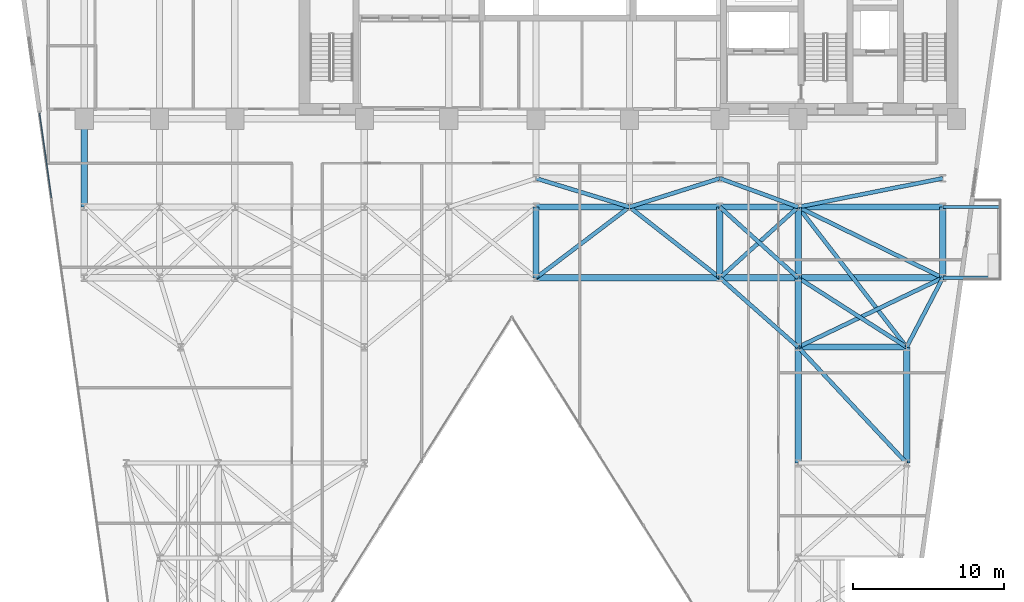
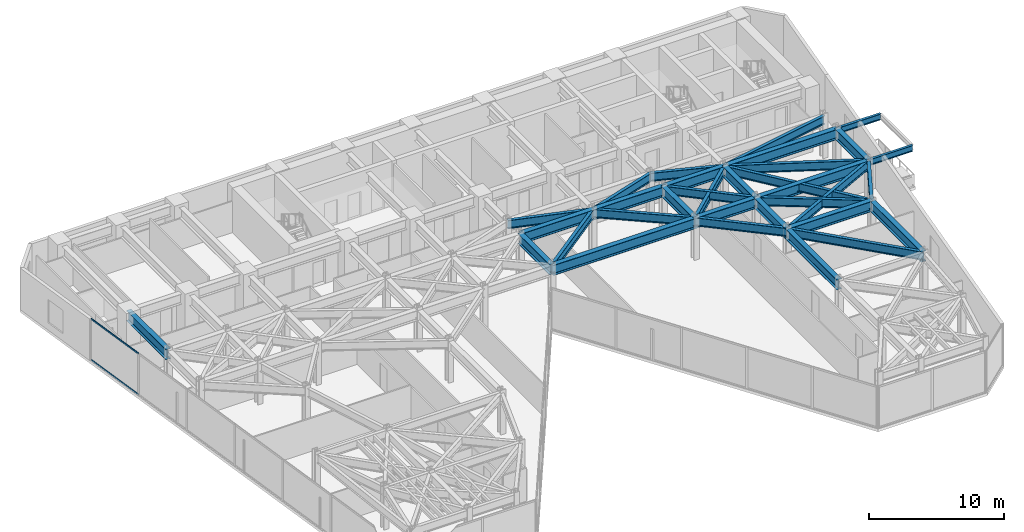
# One storey, part 16 of 24: 33 beams, 2 members, 1 element without a shape of its own.
"""IFC4 building model written with IfcOpenShell, lengths in metres."""

import ifcopenshell
import ifcopenshell.guid

model = None  # the IFC model being written
_history = None  # IfcOwnerHistory: only IFC2X3 demands one
_inside = {}  # id of a spatial element -> (the spatial element, [elements in it])
_under = {}  # id of a project, library or spatial element -> (it, [spatial elements below it])
_declared = {}  # id of a project -> (the project, [libraries it declares])
_typed = {}  # id of a type object -> (the type object, [elements of that type])
_made_of = {}  # id of a material, layer set ... -> (it, [elements and type objects made of it])


def new_model(schema):
    """Start an empty IFC model of exactly this schema.

    Asked for "IFC4X3", IfcOpenShell would pick the latest addendum, in which some entities
    have other attributes; the version numbers below select the first issue.
    IFC2X3 requires an IfcOwnerHistory on every rooted entity: one is made here for all.
    """
    global model, _history
    if schema == "IFC4X3":
        model = ifcopenshell.file(schema_version=(4, 3, 0, 0))
    else:
        model = ifcopenshell.file(schema=schema)
    _inside.clear()
    _under.clear()
    _declared.clear()
    _typed.clear()
    _made_of.clear()
    _history = None
    if model.schema == "IFC2X3":
        org = make("IfcOrganization", Name="unknown")
        user = make(
            "IfcPersonAndOrganization",
            ThePerson=make("IfcPerson", FamilyName="unknown"),
            TheOrganization=org,
        )
        app = make(
            "IfcApplication",
            ApplicationDeveloper=org,
            Version="unknown",
            ApplicationFullName="unknown",
            ApplicationIdentifier="unknown",
        )
        _history = make(
            "IfcOwnerHistory",
            OwningUser=user,
            OwningApplication=app,
            ChangeAction="ADDED",
            CreationDate=0,
        )
    return model


def make(cls, **values):
    """One entity of the class cls with the attributes given. An attribute that is None is left unset."""
    return model.create_entity(
        cls, **{name: value for name, value in values.items() if value is not None}
    )


def rooted(cls, **values):
    """An entity with a GlobalId (a new one), such as an element, a storey or a relation."""
    return make(cls, GlobalId=ifcopenshell.guid.new(), OwnerHistory=_history, **values)


def si_unit(unit_type, name, prefix=None):
    """IfcSIUnit, for example si_unit("LENGTHUNIT", "METRE", prefix="MILLI")."""
    return make("IfcSIUnit", UnitType=unit_type, Prefix=prefix, Name=name)


def assignment(units):
    """IfcUnitAssignment: the units of a project."""
    return None if units is None else make("IfcUnitAssignment", Units=units)


def point(xyz):
    """IfcCartesianPoint."""
    return None if xyz is None else make("IfcCartesianPoint", Coordinates=xyz)


def direction(xyz):
    """IfcDirection."""
    return None if xyz is None else make("IfcDirection", DirectionRatios=xyz)


def frame(location, z_axis=None, x_axis=None):
    """IfcAxis2Placement3D, a coordinate frame: its origin and axes. An axis left out is left unset."""
    return make(
        "IfcAxis2Placement3D",
        Location=point(location),
        Axis=direction(z_axis),
        RefDirection=direction(x_axis),
    )


def frame_2d(location, x_axis=None):
    """IfcAxis2Placement2D, a coordinate frame in the plane: its origin and x axis."""
    return make(
        "IfcAxis2Placement2D", Location=point(location), RefDirection=direction(x_axis)
    )


def origin():
    """The frame at (0, 0, 0) with its axes left unset."""
    return frame((0.0, 0.0, 0.0))


def origin_2d():
    """The frame at (0, 0) in the plane with its x axis left unset."""
    return frame_2d((0.0, 0.0))


def place(relative_to, where):
    """IfcLocalPlacement: puts the frame where relative to a parent placement (None: the world)."""
    return make(
        "IfcLocalPlacement", PlacementRelTo=relative_to, RelativePlacement=where
    )


def context(
    kind, dimensions, precision=None, world=None, true_north=None, identifier=None
):
    """IfcGeometricRepresentationContext, for example the 3D "Model" context."""
    return make(
        "IfcGeometricRepresentationContext",
        ContextIdentifier=identifier,
        ContextType=kind,
        CoordinateSpaceDimension=dimensions,
        Precision=precision,
        WorldCoordinateSystem=world,
        TrueNorth=true_north,
    )


def subcontext(parent, identifier, kind, view, scale=None):
    """IfcGeometricRepresentationSubContext, for example "Body" below "Model"."""
    return make(
        "IfcGeometricRepresentationSubContext",
        ContextIdentifier=identifier,
        ContextType=kind,
        ParentContext=parent,
        TargetScale=scale,
        TargetView=view,
    )


def project(units=None, contexts=None):
    """IfcProject with its units and contexts."""
    return rooted(
        "IfcProject",
        Name="project",
        RepresentationContexts=contexts,
        UnitsInContext=assignment(units),
    )


def spatial(cls, under=None, at=None, **own):
    """A site, building, storey or space (cls), placed at a placement, below another one or the project."""
    s = rooted(cls, ObjectPlacement=at, **own)
    if under is not None:
        _under.setdefault(under.id(), (under, []))[1].append(s)
    return s


def profile(cls, at=None, kind="AREA", **sizes):
    """A parametric profile (cls). Its sizes go by their IFC names, for example OverallWidth=200.0."""
    return make(cls, ProfileType=kind, Position=at, **sizes)


def hollow_rectangle(**sizes):
    """IfcRectangleHollowProfileDef."""
    return profile("IfcRectangleHollowProfileDef", **sizes)


def i_section(**sizes):
    """IfcIShapeProfileDef."""
    return profile("IfcIShapeProfileDef", **sizes)


def extrude(swept, where, along, depth):
    """IfcExtrudedAreaSolid: the profile swept, set in the frame where, extruded along a direction by depth."""
    return make(
        "IfcExtrudedAreaSolid",
        SweptArea=swept,
        Position=where,
        ExtrudedDirection=direction(along),
        Depth=depth,
    )


def shape(context_of_items, identifier, shape_type, items):
    """IfcShapeRepresentation: the items that make up one representation, for example the "Body"."""
    return make(
        "IfcShapeRepresentation",
        ContextOfItems=context_of_items,
        RepresentationIdentifier=identifier,
        RepresentationType=shape_type,
        Items=items,
    )


def material(Name=None, Category=None):
    """IfcMaterial."""
    return make("IfcMaterial", Name=Name, Category=Category)


def layer(
    of_material, thickness, ventilated=None, Name=None, Category=None, Priority=None
):
    """IfcMaterialLayer: one layer of a wall or slab, of a material (None: an air gap)."""
    return make(
        "IfcMaterialLayer",
        Material=of_material,
        LayerThickness=thickness,
        IsVentilated=ventilated,
        Name=Name,
        Category=Category,
        Priority=Priority,
    )


def layer_set(layers, Name=None):
    """IfcMaterialLayerSet."""
    return make("IfcMaterialLayerSet", MaterialLayers=layers, LayerSetName=Name)


def material_profile(
    of_material, cross_section, Name=None, Category=None, Priority=None
):
    """IfcMaterialProfile: a cross section and its material."""
    return make(
        "IfcMaterialProfile",
        Name=Name,
        Material=of_material,
        Profile=cross_section,
        Priority=Priority,
        Category=Category,
    )


def profile_set(profiles, Name=None, composite=None):
    """IfcMaterialProfileSet."""
    return make(
        "IfcMaterialProfileSet",
        Name=Name,
        MaterialProfiles=profiles,
        CompositeProfile=composite,
    )


def made_of(thing, what):
    """Note that an element or type object is made of a material, layer set ...; save() writes the relation."""
    if what is not None:
        _made_of.setdefault(what.id(), (what, []))[1].append(thing)
    return thing


def type_object(cls, material=None, **own):
    """A type object (cls), such as IfcWallType, which elements share."""
    return made_of(rooted(cls, **own), material)


def element(
    cls,
    number,
    at=None,
    inside=None,
    cuts=None,
    type_object=None,
    material=None,
    context=None,
    identifier="Body",
    shape_type=None,
    held_by="IfcProductDefinitionShape",
    body=None,
    shapes=None,
    **own,
):
    """One element of the class cls, such as IfcWall. Its Tag is "e" and its number.

    at: its placement. inside: the storey or other place that contains it. cuts: it is an
    opening in that element (IfcRelVoidsElement). A single representation is given by context,
    identifier, shape_type and body (its items); several are given by shapes. held_by: the class
    of the entity that holds the representations. save() writes the other relations.
    """
    e = rooted(cls, Tag="e%d" % number, ObjectPlacement=at, **own)
    if body is not None:
        shapes = [shape(context, identifier, shape_type, body)]
    if shapes is not None:
        e.Representation = make(held_by, Representations=shapes)
    if inside is not None:
        _inside.setdefault(inside.id(), (inside, []))[1].append(e)
    if cuts is not None:
        rooted(
            "IfcRelVoidsElement", RelatingBuildingElement=cuts, RelatedOpeningElement=e
        )
    if type_object is not None:
        _typed.setdefault(type_object.id(), (type_object, []))[1].append(e)
    return made_of(e, material)


def aggregate(whole, parts):
    """IfcRelAggregates: a whole, such as a stair, and the parts it consists of."""
    return rooted("IfcRelAggregates", RelatingObject=whole, RelatedObjects=parts)


def save(model, path):
    """Write the relations noted so far, then the file.

    IfcRelAggregates (storeys below a building ...), IfcRelContainedInSpatialStructure (elements
    in a storey), IfcRelDefinesByType, IfcRelAssociatesMaterial and IfcRelDeclares: one each for
    every whole, place, type object, material and project.
    """
    for whole, parts in _under.values():
        aggregate(whole, parts)
    for where, things in _inside.values():
        rooted(
            "IfcRelContainedInSpatialStructure",
            RelatedElements=things,
            RelatingStructure=where,
        )
    for kind, things in _typed.values():
        rooted("IfcRelDefinesByType", RelatedObjects=things, RelatingType=kind)
    for what, things in _made_of.values():
        rooted("IfcRelAssociatesMaterial", RelatedObjects=things, RelatingMaterial=what)
    for by, libraries in _declared.values():
        rooted("IfcRelDeclares", RelatingContext=by, RelatedDefinitions=libraries)
    model.write(path)


model = new_model("IFC4")

# Units and contexts
model_context = context("Model", 3, precision=1e-05, world=origin(), true_north=direction((0.0, 1.0)))
body_context = subcontext(model_context, "Body", "Model", "MODEL_VIEW")
ifc_project = project(units=[si_unit("LENGTHUNIT", "METRE"), si_unit("AREAUNIT", "SQUARE_METRE"), si_unit("VOLUMEUNIT", "CUBIC_METRE"), si_unit("PLANEANGLEUNIT", "RADIAN"), si_unit("MASSUNIT", "GRAM", prefix="KILO")], contexts=[model_context])

# Site, building, storey
site_placement = place(None, origin())
site = spatial("IfcSite", under=ifc_project, at=site_placement, CompositionType="ELEMENT")
building_placement = place(site_placement, origin())
building = spatial("IfcBuilding", under=site, at=building_placement, Name="Kravanh Interchange Tower", CompositionType="ELEMENT")
storey_placement = place(building_placement, frame((0.0, 0.0, 77.5)))
storey = spatial("IfcBuildingStorey", under=building, at=storey_placement, Name="L18", CompositionType="ELEMENT", Elevation=77.5)

# Curtain wall, members
ifc_material_1 = material(Name="Anodised Bronze Aluminium", Category="aluminium")
ifc_layer = layer(ifc_material_1, 0.179931640625)
ifc_layer_set = layer_set([ifc_layer], Name="Unitised Curtain Wall System CW-Z1 Lower Office")
curtain_wall_type = type_object("IfcCurtainWallType", Name="Unitised Curtain Wall System CW-Z1 Lower Office", PredefinedType="NOTDEFINED", material=ifc_layer_set)
curtain_wall_placement = place(storey_placement, origin())
curtain_wall = element("IfcCurtainWall", 1, at=curtain_wall_placement, inside=storey, type_object=curtain_wall_type, Name="L18 Unitised Curtain Wall CW-L18-01", PredefinedType="NOTDEFINED")
ifc_material_2 = material(Name="Anodised Bronze Aluminium", Category="aluminium")
ifc_material_profile_1 = material_profile(ifc_material_2, hollow_rectangle(XDim=0.06005859375, YDim=0.139892578125, WallThickness=0.00390625, at=origin_2d()), Name="ALU60X140X4")
ifc_profile_set_1 = profile_set([ifc_material_profile_1], Name="Anodised Bronze Aluminium")
member_type = type_object("IfcMemberType", Name="Curtain Wall Transom ALU60X140X4 Bronze", PredefinedType="USERDEFINED", material=ifc_profile_set_1)
member_1_placement = place(storey_placement, frame((6.422607421875, 32.1240234375, 0.030029296875), z_axis=(-0.139193386559, 0.990265217575, 0.0), x_axis=(-0.990265217575, -0.139193386559, 0.0)))
member_1 = element("IfcMember", 2, at=member_1_placement, type_object=member_type, Name="CW-Z1 transom 6.1", ObjectType="TRANSOM", PredefinedType="USERDEFINED", context=body_context, shape_type="SweptSolid", body=[
    extrude(hollow_rectangle(XDim=0.06005859375, YDim=0.139892578125, WallThickness=0.00390625, at=origin_2d()), origin(), (0.0, 0.0, 1.0), 5.661865234375),
])
member_2_placement = place(storey_placement, frame((6.422607421875, 32.1240234375, 3.7099609375), z_axis=(-0.139193386559, 0.990265217575, 0.0), x_axis=(-0.990265217575, -0.139193386559, 0.0)))
member_2 = element("IfcMember", 3, at=member_2_placement, type_object=member_type, Name="CW-Z1 transom 6.2", ObjectType="TRANSOM", PredefinedType="USERDEFINED", context=body_context, shape_type="SweptSolid", body=[
    extrude(hollow_rectangle(XDim=0.06005859375, YDim=0.139892578125, WallThickness=0.00390625, at=origin_2d()), origin(), (0.0, 0.0, 1.0), 5.661865234375),
])
aggregate(curtain_wall, [member_1, member_2])

# Beams
ifc_material_3 = material(Name="Structural Steel S355", Category="steel")
ifc_material_profile_2 = material_profile(ifc_material_3, i_section(OverallWidth=0.41796875, OverallDepth=0.927001953125, WebThickness=0.019287109375, FlangeThickness=0.031982421875, FilletRadius=0.028076171875, at=origin_2d()), Name="W36X231")
ifc_profile_set_2 = profile_set([ifc_material_profile_2], Name="Structural Steel S355")
beam_type_1 = type_object("IfcBeamType", Name="Floor Beam W36X231 Structural Steel S355", PredefinedType="BEAM", material=ifc_profile_set_2)
beam_1_placement = place(storey_placement, frame((8.60009765625, 37.35009765625, 3.276611328125), z_axis=(0.0, -1.0, 0.0), x_axis=(1.0, 0.0, 0.0)))
element("IfcBeam", 4, at=beam_1_placement, inside=storey, type_object=beam_type_1, Name="L18 Primary Floor Girder 36", PredefinedType="BEAM", context=body_context, shape_type="SweptSolid", body=[
    extrude(i_section(OverallWidth=0.41796875, OverallDepth=0.927001953125, WebThickness=0.019287109375, FlangeThickness=0.031982421875, FilletRadius=0.028076171875, at=origin_2d()), origin(), (0.0, 0.0, 1.0), 5.85009765625),
])
for number, where, z_axis, x_axis, name in (
    (5, (56.0, 14.5, 3.276611328125), (0.0, 1.0, 0.0), (-1.0, 0.0, 0.0), "L18 Primary Floor Girder 44"),
    (6, (63.199951171875, 14.5, 3.276611328125), (0.0, 1.0, 0.0), (-1.0, 0.0, 0.0), "L18 Primary Floor Girder 47"),
):
    element("IfcBeam", number, at=place(storey_placement, frame(where, z_axis=z_axis, x_axis=x_axis)), inside=storey, type_object=beam_type_1, Name=name, PredefinedType="BEAM", context=body_context, shape_type="SweptSolid", body=[
        extrude(i_section(OverallWidth=0.41796875, OverallDepth=0.927001953125, WebThickness=0.019287109375, FlangeThickness=0.031982421875, FilletRadius=0.028076171875, at=origin_2d()), origin(), (0.0, 0.0, 1.0), 7.699951171875),
    ])
beam_2_placement = place(storey_placement, frame((56.0, 22.199951171875, 3.276611328125), z_axis=(0.0, 1.0, 0.0), x_axis=(-1.0, 0.0, 0.0)))
element("IfcBeam", 7, at=beam_2_placement, inside=storey, type_object=beam_type_1, Name="L18 Primary Floor Girder 58", PredefinedType="BEAM", context=body_context, shape_type="SweptSolid", body=[
    extrude(i_section(OverallWidth=0.41796875, OverallDepth=0.927001953125, WebThickness=0.019287109375, FlangeThickness=0.031982421875, FilletRadius=0.028076171875, at=origin_2d()), origin(), (0.0, 0.0, 1.0), 4.60009765625),
])
beam_3_placement = place(storey_placement, frame((56.0, 22.199951171875, 3.276611328125), z_axis=(1.0, 0.0, 0.0), x_axis=(0.0, 1.0, 0.0)))
element("IfcBeam", 8, at=beam_3_placement, inside=storey, type_object=beam_type_1, Name="L18 Primary Floor Girder 60", PredefinedType="BEAM", context=body_context, shape_type="SweptSolid", body=[
    extrude(i_section(OverallWidth=0.41796875, OverallDepth=0.927001953125, WebThickness=0.019287109375, FlangeThickness=0.031982421875, FilletRadius=0.028076171875, at=origin_2d()), origin(), (0.0, 0.0, 1.0), 7.199951171875),
])
beam_4_placement = place(storey_placement, frame((38.60009765625, 26.800048828125, 3.276611328125), z_axis=(0.0, 1.0, 0.0), x_axis=(-1.0, 0.0, 0.0)))
element("IfcBeam", 9, at=beam_4_placement, inside=storey, type_object=beam_type_1, Name="L18 Primary Floor Girder 86", PredefinedType="BEAM", context=body_context, shape_type="SweptSolid", body=[
    extrude(i_section(OverallWidth=0.41796875, OverallDepth=0.927001953125, WebThickness=0.019287109375, FlangeThickness=0.031982421875, FilletRadius=0.028076171875, at=origin_2d()), origin(), (0.0, 0.0, 1.0), 4.699951171875),
])
beam_5_placement = place(storey_placement, frame((38.60009765625, 26.800048828125, 3.276611328125), z_axis=(1.0, 0.0, 0.0), x_axis=(0.0, 1.0, 0.0)))
element("IfcBeam", 10, at=beam_5_placement, inside=storey, type_object=beam_type_1, Name="L18 Primary Floor Girder 89", PredefinedType="BEAM", context=body_context, shape_type="SweptSolid", body=[
    extrude(i_section(OverallWidth=0.41796875, OverallDepth=0.927001953125, WebThickness=0.019287109375, FlangeThickness=0.031982421875, FilletRadius=0.028076171875, at=origin_2d()), origin(), (0.0, 0.0, 1.0), 12.199951171875),
])
beam_6_placement = place(storey_placement, frame((50.800048828125, 26.800048828125, 3.276611328125), z_axis=(0.0, 1.0, 0.0), x_axis=(-1.0, 0.0, 0.0)))
element("IfcBeam", 11, at=beam_6_placement, inside=storey, type_object=beam_type_1, Name="L18 Primary Floor Girder 90", PredefinedType="BEAM", context=body_context, shape_type="SweptSolid", body=[
    extrude(i_section(OverallWidth=0.41796875, OverallDepth=0.927001953125, WebThickness=0.019287109375, FlangeThickness=0.031982421875, FilletRadius=0.028076171875, at=origin_2d()), origin(), (0.0, 0.0, 1.0), 4.699951171875),
])
beam_7_placement = place(storey_placement, frame((50.800048828125, 26.800048828125, 3.276611328125), z_axis=(1.0, 0.0, 0.0), x_axis=(0.0, 1.0, 0.0)))
element("IfcBeam", 12, at=beam_7_placement, inside=storey, type_object=beam_type_1, Name="L18 Primary Floor Girder 91", PredefinedType="BEAM", context=body_context, shape_type="SweptSolid", body=[
    extrude(i_section(OverallWidth=0.41796875, OverallDepth=0.927001953125, WebThickness=0.019287109375, FlangeThickness=0.031982421875, FilletRadius=0.028076171875, at=origin_2d()), origin(), (0.0, 0.0, 1.0), 5.199951171875),
])
beam_8_placement = place(storey_placement, frame((56.0, 26.800048828125, 3.276611328125), z_axis=(0.0, 1.0, 0.0), x_axis=(-1.0, 0.0, 0.0)))
element("IfcBeam", 13, at=beam_8_placement, inside=storey, type_object=beam_type_1, Name="L18 Primary Floor Girder 94", PredefinedType="BEAM", context=body_context, shape_type="SweptSolid", body=[
    extrude(i_section(OverallWidth=0.41796875, OverallDepth=0.927001953125, WebThickness=0.019287109375, FlangeThickness=0.031982421875, FilletRadius=0.028076171875, at=origin_2d()), origin(), (0.0, 0.0, 1.0), 4.699951171875),
])
beam_9_placement = place(storey_placement, frame((56.0, 26.800048828125, 3.276611328125), z_axis=(1.0, 0.0, 0.0), x_axis=(0.0, 1.0, 0.0)))
element("IfcBeam", 14, at=beam_9_placement, inside=storey, type_object=beam_type_1, Name="L18 Primary Floor Girder 97", PredefinedType="BEAM", context=body_context, shape_type="SweptSolid", body=[
    extrude(i_section(OverallWidth=0.41796875, OverallDepth=0.927001953125, WebThickness=0.019287109375, FlangeThickness=0.031982421875, FilletRadius=0.028076171875, at=origin_2d()), origin(), (0.0, 0.0, 1.0), 9.60009765625),
])
beam_10_placement = place(storey_placement, frame((65.60009765625, 26.800048828125, 3.276611328125), z_axis=(0.0, 1.0, 0.0), x_axis=(-1.0, 0.0, 0.0)))
element("IfcBeam", 15, at=beam_10_placement, inside=storey, type_object=beam_type_1, Name="L18 Primary Floor Girder 98", PredefinedType="BEAM", context=body_context, shape_type="SweptSolid", body=[
    extrude(i_section(OverallWidth=0.41796875, OverallDepth=0.927001953125, WebThickness=0.019287109375, FlangeThickness=0.031982421875, FilletRadius=0.028076171875, at=origin_2d()), origin(), (0.0, 0.0, 1.0), 4.699951171875),
])
beam_11_placement = place(storey_placement, frame((38.60009765625, 31.5, 3.276611328125), z_axis=(1.0, 0.0, 0.0), x_axis=(0.0, 1.0, 0.0)))
element("IfcBeam", 16, at=beam_11_placement, inside=storey, type_object=beam_type_1, Name="L18 Primary Floor Girder 111", PredefinedType="BEAM", context=body_context, shape_type="SweptSolid", body=[
    extrude(i_section(OverallWidth=0.41796875, OverallDepth=0.927001953125, WebThickness=0.019287109375, FlangeThickness=0.031982421875, FilletRadius=0.028076171875, at=origin_2d()), origin(), (0.0, 0.0, 1.0), 6.199951171875),
])
beam_12_placement = place(storey_placement, frame((44.800048828125, 31.5, 3.276611328125), z_axis=(1.0, 0.0, 0.0), x_axis=(0.0, 1.0, 0.0)))
element("IfcBeam", 17, at=beam_12_placement, inside=storey, type_object=beam_type_1, Name="L18 Primary Floor Girder 113", PredefinedType="BEAM", context=body_context, shape_type="SweptSolid", body=[
    extrude(i_section(OverallWidth=0.41796875, OverallDepth=0.927001953125, WebThickness=0.019287109375, FlangeThickness=0.031982421875, FilletRadius=0.028076171875, at=origin_2d()), origin(), (0.0, 0.0, 1.0), 6.0),
])
beam_13_placement = place(storey_placement, frame((50.800048828125, 31.5, 3.276611328125), z_axis=(1.0, 0.0, 0.0), x_axis=(0.0, 1.0, 0.0)))
element("IfcBeam", 18, at=beam_13_placement, inside=storey, type_object=beam_type_1, Name="L18 Primary Floor Girder 116", PredefinedType="BEAM", context=body_context, shape_type="SweptSolid", body=[
    extrude(i_section(OverallWidth=0.41796875, OverallDepth=0.927001953125, WebThickness=0.019287109375, FlangeThickness=0.031982421875, FilletRadius=0.028076171875, at=origin_2d()), origin(), (0.0, 0.0, 1.0), 5.199951171875),
])
beam_14_placement = place(storey_placement, frame((56.0, 31.5, 3.276611328125), z_axis=(1.0, 0.0, 0.0), x_axis=(0.0, 1.0, 0.0)))
element("IfcBeam", 19, at=beam_14_placement, inside=storey, type_object=beam_type_1, Name="L18 Primary Floor Girder 119", PredefinedType="BEAM", context=body_context, shape_type="SweptSolid", body=[
    extrude(i_section(OverallWidth=0.41796875, OverallDepth=0.927001953125, WebThickness=0.019287109375, FlangeThickness=0.031982421875, FilletRadius=0.028076171875, at=origin_2d()), origin(), (0.0, 0.0, 1.0), 9.60009765625),
])
ifc_material_4 = material(Name="Structural Steel S355", Category="steel")
ifc_material_profile_3 = material_profile(ifc_material_4, i_section(OverallWidth=0.2099609375, OverallDepth=0.537109375, WebThickness=0.010986328125, FlangeThickness=0.017333984375, FilletRadius=0.02001953125, at=origin_2d()), Name="W21X68")
ifc_profile_set_3 = profile_set([ifc_material_profile_3], Name="Structural Steel S355")
beam_type_2 = type_object("IfcBeamType", Name="Floor Spandrel W21X68 Structural Steel S355", PredefinedType="SPANDREL", material=ifc_profile_set_3)
for number, where, z_axis, x_axis, name in (
    (20, (65.60009765625, 26.800048828125, 3.471435546875), (1.0, 0.0, 0.0), (0.0, 1.0, 0.0), "L18 Balcony Cantilever Outrigger E1"),
    (21, (65.60009765625, 31.5, 3.471435546875), (1.0, 0.0, 0.0), (0.0, 1.0, 0.0), "L18 Balcony Cantilever Outrigger E2"),
):
    element("IfcBeam", number, at=place(storey_placement, frame(where, z_axis=z_axis, x_axis=x_axis)), inside=storey, type_object=beam_type_2, Name=name, PredefinedType="SPANDREL", context=body_context, shape_type="SweptSolid", body=[
        extrude(i_section(OverallWidth=0.2099609375, OverallDepth=0.537109375, WebThickness=0.010986328125, FlangeThickness=0.017333984375, FilletRadius=0.02001953125, at=origin_2d()), origin(), (0.0, 0.0, 1.0), 3.72998046875),
    ])
ifc_material_5 = material(Name="Structural Steel S355", Category="steel")
ifc_material_profile_4 = material_profile(ifc_material_5, i_section(OverallWidth=0.26708984375, OverallDepth=0.761962890625, WebThickness=0.014404296875, FlangeThickness=0.021484375, FilletRadius=0.02490234375, at=origin_2d()), Name="W30X116")
ifc_profile_set_4 = profile_set([ifc_material_profile_4], Name="Structural Steel S355")
beam_type_3 = type_object("IfcBeamType", Name="Floor Spandrel W30X116 Structural Steel S355", PredefinedType="SPANDREL", material=ifc_profile_set_4)
beam_15_placement = place(storey_placement, frame((63.199951171875, 14.5, 3.35888671875), z_axis=(-0.682993762113, 0.73042420614, 0.0), x_axis=(-0.73042420614, -0.682993762113, 0.0)))
element("IfcBeam", 22, at=beam_15_placement, inside=storey, type_object=beam_type_3, Name="L18 Perimeter Spandrel 49", PredefinedType="SPANDREL", context=body_context, shape_type="SweptSolid", body=[
    extrude(i_section(OverallWidth=0.26708984375, OverallDepth=0.761962890625, WebThickness=0.014404296875, FlangeThickness=0.021484375, FilletRadius=0.02490234375, at=origin_2d()), origin(), (0.0, 0.0, 1.0), 10.541748046875),
])
beam_16_placement = place(storey_placement, frame((56.0, 22.199951171875, 3.35888671875), z_axis=(-0.74898649432, 0.662585263439, 0.0), x_axis=(-0.662585263439, -0.74898649432, 0.0)))
element("IfcBeam", 23, at=beam_16_placement, inside=storey, type_object=beam_type_3, Name="L18 Perimeter Spandrel 59", PredefinedType="SPANDREL", context=body_context, shape_type="SweptSolid", body=[
    extrude(i_section(OverallWidth=0.26708984375, OverallDepth=0.761962890625, WebThickness=0.014404296875, FlangeThickness=0.021484375, FilletRadius=0.02490234375, at=origin_2d()), origin(), (0.0, 0.0, 1.0), 6.942626953125),
])
beam_17_placement = place(storey_placement, frame((56.0, 22.199951171875, 3.35888671875), z_axis=(0.901814166789, 0.432124066188, 0.0), x_axis=(-0.432124066188, 0.901814166789, 0.0)))
element("IfcBeam", 24, at=beam_17_placement, inside=storey, type_object=beam_type_3, Name="L18 Perimeter Spandrel 61", PredefinedType="SPANDREL", context=body_context, shape_type="SweptSolid", body=[
    extrude(i_section(OverallWidth=0.26708984375, OverallDepth=0.761962890625, WebThickness=0.014404296875, FlangeThickness=0.021484375, FilletRadius=0.02490234375, at=origin_2d()), origin(), (0.0, 0.0, 1.0), 10.645263671875),
])
beam_18_placement = place(storey_placement, frame((63.199951171875, 22.199951171875, 3.35888671875), z_axis=(0.462580479178, 0.886577295155, 0.0), x_axis=(-0.886577295155, 0.462580479178, 0.0)))
element("IfcBeam", 25, at=beam_18_placement, inside=storey, type_object=beam_type_3, Name="L18 Perimeter Spandrel 62", PredefinedType="SPANDREL", context=body_context, shape_type="SweptSolid", body=[
    extrude(i_section(OverallWidth=0.26708984375, OverallDepth=0.761962890625, WebThickness=0.014404296875, FlangeThickness=0.021484375, FilletRadius=0.02490234375, at=origin_2d()), origin(), (0.0, 0.0, 1.0), 5.188720703125),
])
beam_19_placement = place(storey_placement, frame((63.199951171875, 22.199951171875, 3.35888671875), z_axis=(-0.842689417531, 0.53839998661, 0.0), x_axis=(-0.53839998661, -0.842689417531, 0.0)))
element("IfcBeam", 26, at=beam_19_placement, inside=storey, type_object=beam_type_3, Name="L18 Perimeter Spandrel 63", PredefinedType="SPANDREL", context=body_context, shape_type="SweptSolid", body=[
    extrude(i_section(OverallWidth=0.26708984375, OverallDepth=0.761962890625, WebThickness=0.014404296875, FlangeThickness=0.021484375, FilletRadius=0.02490234375, at=origin_2d()), origin(), (0.0, 0.0, 1.0), 8.5439453125),
])
beam_20_placement = place(storey_placement, frame((63.199951171875, 22.199951171875, 3.35888671875), z_axis=(-0.612168587637, 0.790727273028, 0.0), x_axis=(-0.790727273028, -0.612168587637, 0.0)))
element("IfcBeam", 27, at=beam_20_placement, inside=storey, type_object=beam_type_3, Name="L18 Perimeter Spandrel 65", PredefinedType="SPANDREL", context=body_context, shape_type="SweptSolid", body=[
    extrude(i_section(OverallWidth=0.26708984375, OverallDepth=0.761962890625, WebThickness=0.014404296875, FlangeThickness=0.021484375, FilletRadius=0.02490234375, at=origin_2d()), origin(), (0.0, 0.0, 1.0), 11.761474609375),
])
beam_21_placement = place(storey_placement, frame((38.60009765625, 26.800048828125, 3.35888671875), z_axis=(0.796905365509, 0.604104161898, 0.0), x_axis=(-0.604104161898, 0.796905365509, 0.0)))
element("IfcBeam", 28, at=beam_21_placement, inside=storey, type_object=beam_type_3, Name="L18 Perimeter Spandrel 88", PredefinedType="SPANDREL", context=body_context, shape_type="SweptSolid", body=[
    extrude(i_section(OverallWidth=0.26708984375, OverallDepth=0.761962890625, WebThickness=0.014404296875, FlangeThickness=0.021484375, FilletRadius=0.02490234375, at=origin_2d()), origin(), (0.0, 0.0, 1.0), 7.780029296875),
])
beam_22_placement = place(storey_placement, frame((50.800048828125, 26.800048828125, 3.35888671875), z_axis=(0.741874009795, 0.670539300557, 0.0), x_axis=(-0.670539300557, 0.741874009795, 0.0)))
element("IfcBeam", 29, at=beam_22_placement, inside=storey, type_object=beam_type_3, Name="L18 Perimeter Spandrel 92", PredefinedType="SPANDREL", context=body_context, shape_type="SweptSolid", body=[
    extrude(i_section(OverallWidth=0.26708984375, OverallDepth=0.761962890625, WebThickness=0.014404296875, FlangeThickness=0.021484375, FilletRadius=0.02490234375, at=origin_2d()), origin(), (0.0, 0.0, 1.0), 7.00927734375),
])
beam_23_placement = place(storey_placement, frame((50.800048828125, 26.800048828125, 3.35888671875), z_axis=(-0.787231163579, 0.616658004967, 0.0), x_axis=(-0.616658004967, -0.787231163579, 0.0)))
element("IfcBeam", 30, at=beam_23_placement, inside=storey, type_object=beam_type_3, Name="L18 Perimeter Spandrel 93", PredefinedType="SPANDREL", context=body_context, shape_type="SweptSolid", body=[
    extrude(i_section(OverallWidth=0.26708984375, OverallDepth=0.761962890625, WebThickness=0.014404296875, FlangeThickness=0.021484375, FilletRadius=0.02490234375, at=origin_2d()), origin(), (0.0, 0.0, 1.0), 7.62158203125),
])
beam_24_placement = place(storey_placement, frame((56.0, 26.800048828125, 3.35888671875), z_axis=(-0.741874009795, 0.670539300557, 0.0), x_axis=(-0.670539300557, -0.741874009795, 0.0)))
element("IfcBeam", 31, at=beam_24_placement, inside=storey, type_object=beam_type_3, Name="L18 Perimeter Spandrel 95", PredefinedType="SPANDREL", context=body_context, shape_type="SweptSolid", body=[
    extrude(i_section(OverallWidth=0.26708984375, OverallDepth=0.761962890625, WebThickness=0.014404296875, FlangeThickness=0.021484375, FilletRadius=0.02490234375, at=origin_2d()), origin(), (0.0, 0.0, 1.0), 7.00927734375),
])
beam_25_placement = place(storey_placement, frame((65.60009765625, 26.800048828125, 3.35888671875), z_axis=(-0.898141688387, 0.439706160499, 0.0), x_axis=(-0.439706160499, -0.898141688387, 0.0)))
element("IfcBeam", 32, at=beam_25_placement, inside=storey, type_object=beam_type_3, Name="L18 Perimeter Spandrel 99", PredefinedType="SPANDREL", context=body_context, shape_type="SweptSolid", body=[
    extrude(i_section(OverallWidth=0.26708984375, OverallDepth=0.761962890625, WebThickness=0.014404296875, FlangeThickness=0.021484375, FilletRadius=0.02490234375, at=origin_2d()), origin(), (0.0, 0.0, 1.0), 10.68896484375),
])
beam_26_placement = place(storey_placement, frame((44.800048828125, 31.5, 3.35888671875), z_axis=(0.953346691051, 0.301877602122, 0.0), x_axis=(-0.301877602122, 0.953346691051, 0.0)))
element("IfcBeam", 33, at=beam_26_placement, inside=storey, type_object=beam_type_3, Name="L18 Perimeter Spandrel 114", PredefinedType="SPANDREL", context=body_context, shape_type="SweptSolid", body=[
    extrude(i_section(OverallWidth=0.26708984375, OverallDepth=0.761962890625, WebThickness=0.014404296875, FlangeThickness=0.021484375, FilletRadius=0.02490234375, at=origin_2d()), origin(), (0.0, 0.0, 1.0), 6.293701171875),
])
beam_27_placement = place(storey_placement, frame((44.800048828125, 31.5, 3.35888671875), z_axis=(-0.956115397264, 0.292990353279, 0.0), x_axis=(-0.292990353279, -0.956115397264, 0.0)))
element("IfcBeam", 34, at=beam_27_placement, inside=storey, type_object=beam_type_3, Name="L18 Perimeter Spandrel 115", PredefinedType="SPANDREL", context=body_context, shape_type="SweptSolid", body=[
    extrude(i_section(OverallWidth=0.26708984375, OverallDepth=0.761962890625, WebThickness=0.014404296875, FlangeThickness=0.021484375, FilletRadius=0.02490234375, at=origin_2d()), origin(), (0.0, 0.0, 1.0), 6.484619140625),
])
beam_28_placement = place(storey_placement, frame((56.0, 31.5, 3.35888671875), z_axis=(-0.93926957103, 0.343180233896, 0.0), x_axis=(-0.343180233896, -0.93926957103, 0.0)))
element("IfcBeam", 35, at=beam_28_placement, inside=storey, type_object=beam_type_3, Name="L18 Perimeter Spandrel 118", PredefinedType="SPANDREL", context=body_context, shape_type="SweptSolid", body=[
    extrude(i_section(OverallWidth=0.26708984375, OverallDepth=0.761962890625, WebThickness=0.014404296875, FlangeThickness=0.021484375, FilletRadius=0.02490234375, at=origin_2d()), origin(), (0.0, 0.0, 1.0), 5.5361328125),
])
beam_29_placement = place(storey_placement, frame((56.0, 31.5, 3.35888671875), z_axis=(0.980974000807, 0.194139150457, 0.0), x_axis=(-0.194139150457, 0.980974000807, 0.0)))
element("IfcBeam", 36, at=beam_29_placement, inside=storey, type_object=beam_type_3, Name="L18 Perimeter Spandrel 120", PredefinedType="SPANDREL", context=body_context, shape_type="SweptSolid", body=[
    extrude(i_section(OverallWidth=0.26708984375, OverallDepth=0.761962890625, WebThickness=0.014404296875, FlangeThickness=0.021484375, FilletRadius=0.02490234375, at=origin_2d()), origin(), (0.0, 0.0, 1.0), 9.786376953125),
])

save(model, "model.ifc")
